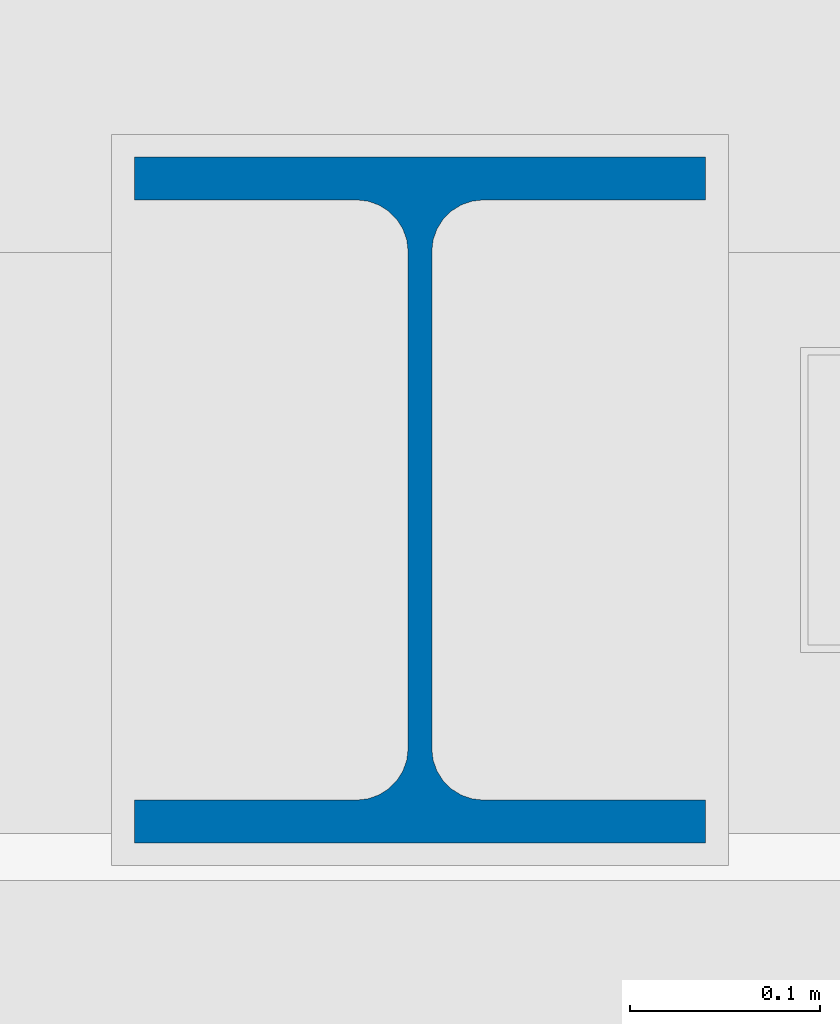
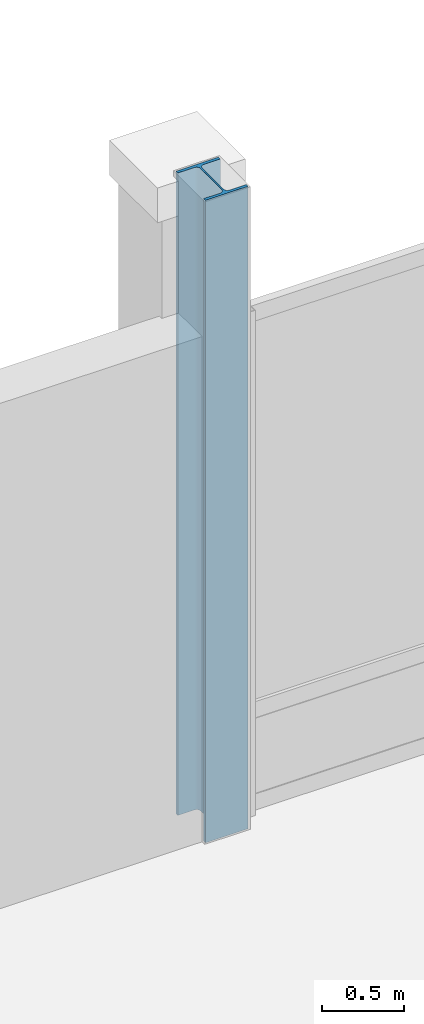
# One storey, part 8 of 193: 1 column.
"""IFC4 building model written with IfcOpenShell, lengths in metres."""

from ifc_helpers import new_model, si_unit, direction, frame, origin, origin_2d, place, context, subcontext, project, spatial, i_section, extrude, material, material_profile, profile_set, type_object, element, save


model = new_model("IFC4")

# Units and contexts
model_context = context("Model", 3, precision=1e-05, world=origin(), true_north=direction((0.0, 1.0)))
body_context = subcontext(model_context, "Body", "Model", "MODEL_VIEW")
ifc_project = project(units=[si_unit("LENGTHUNIT", "METRE"), si_unit("AREAUNIT", "SQUARE_METRE"), si_unit("VOLUMEUNIT", "CUBIC_METRE"), si_unit("PLANEANGLEUNIT", "RADIAN"), si_unit("MASSUNIT", "GRAM", prefix="KILO")], contexts=[model_context])

# Site, building, storey
site_placement = place(None, origin())
site = spatial("IfcSite", under=ifc_project, at=site_placement, CompositionType="ELEMENT")
building_placement = place(site_placement, origin())
building = spatial("IfcBuilding", under=site, at=building_placement, Name="Cendralis Lancet Convention Centre", CompositionType="ELEMENT")
storey_placement = place(building_placement, frame((0.0, 0.0, 10.199951171875)))
storey = spatial("IfcBuildingStorey", under=building, at=storey_placement, Name="L02", CompositionType="ELEMENT", Elevation=10.199951171875)

# Column
ifc_material = material(Name="Steel S355", Category="steel")
ifc_material_profile = material_profile(ifc_material, i_section(OverallWidth=0.300048828125, OverallDepth=0.360107421875, WebThickness=0.012451171875, FlangeThickness=0.0224609375, FilletRadius=0.027099609375, at=origin_2d()), Name="HEB 360")
ifc_profile_set = profile_set([ifc_material_profile], Name="Steel S355")
column_type = type_object("IfcColumnType", Name="STR-COL-C26", PredefinedType="COLUMN", material=ifc_profile_set)
column_placement = place(storey_placement, frame((122.39990234375, 36.0, 0.0), z_axis=(0.0, 0.0, 1.0), x_axis=(1.0, 0.0, 0.0)))
element("IfcColumn", 1, at=column_placement, inside=storey, type_object=column_type, Name="L02 Column C26 at 122.4,36.0", PredefinedType="COLUMN", context=body_context, shape_type="SweptSolid", body=[
    extrude(i_section(OverallWidth=0.300048828125, OverallDepth=0.360107421875, WebThickness=0.012451171875, FlangeThickness=0.0224609375, FilletRadius=0.027099609375, at=origin_2d()), origin(), (0.0, 0.0, 1.0), 4.800048828125),
])

save(model, "model.ifc")
